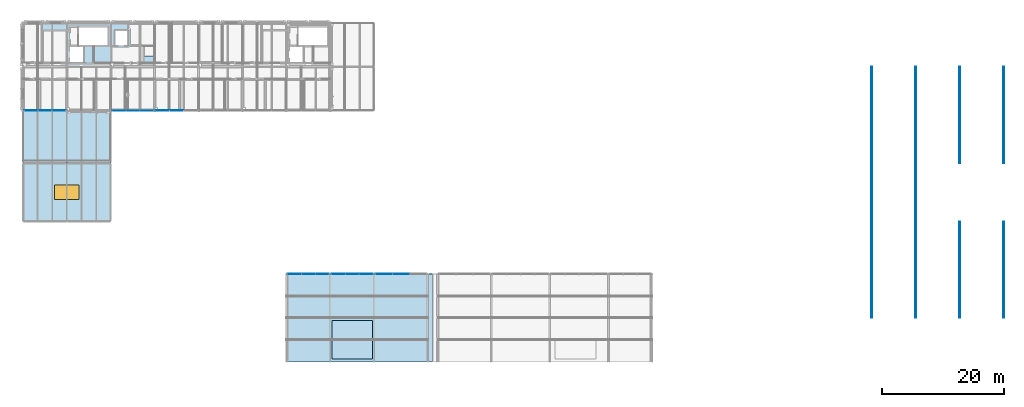
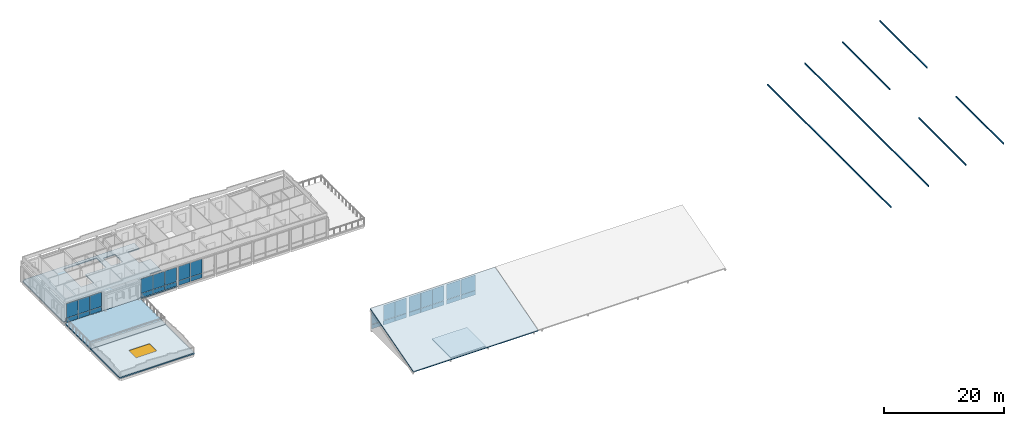
# One storey, part 21 of 32: 32 plates, 18 members, 5 slabs, 1 window, 1 opening, 6 elements without a shape of their own.
"""IFC4 building model written with IfcOpenShell, lengths in metres."""

from ifc_helpers import new_model, si_unit, direction, frame, origin, origin_2d, place, context, subcontext, project, spatial, polyline, rectangle, outline, extrude, material, layer, layer_set, material_profile, profile_set, type_object, element, fill, aggregate, save


model = new_model("IFC4")

# Units and contexts
model_context = context("Model", 3, precision=1e-05, world=origin(), true_north=direction((0.0, 1.0)))
body_context = subcontext(model_context, "Body", "Model", "MODEL_VIEW")
ifc_project = project(units=[si_unit("LENGTHUNIT", "METRE"), si_unit("AREAUNIT", "SQUARE_METRE"), si_unit("VOLUMEUNIT", "CUBIC_METRE"), si_unit("PLANEANGLEUNIT", "RADIAN"), si_unit("MASSUNIT", "GRAM", prefix="KILO")], contexts=[model_context])

# Site, building, storey
site_placement = place(None, origin())
site = spatial("IfcSite", under=ifc_project, at=site_placement, CompositionType="ELEMENT")
building_placement = place(site_placement, origin())
building = spatial("IfcBuilding", under=site, at=building_placement, Name="Hawrajan Terrace Health Centre", CompositionType="ELEMENT")
storey_placement = place(building_placement, frame((0.0, 0.0, 17.39990234375)))
storey = spatial("IfcBuildingStorey", under=building, at=storey_placement, Name="L04", CompositionType="ELEMENT", Elevation=17.39990234375)

# Members
ifc_material_1 = material(Name="Glulam GL28h", Category="wood")
ifc_material_profile = material_profile(ifc_material_1, rectangle(XDim=0.159912109375, YDim=0.280029296875, at=origin_2d()), Name="GL PUR 160x280")
ifc_profile_set = profile_set([ifc_material_profile], Name="Glulam GL28h")
member_type = type_object("IfcMemberType", Name="RoofPurlin_160x280", PredefinedType="PURLIN", material=ifc_profile_set)
member_1_placement = place(storey_placement, frame((143.800048828125, 11.39990234375, -4.579833984375), z_axis=(0.0, 1.0, 0.0), x_axis=(-1.0, 0.0, 0.0)))
element("IfcMember", 1, at=member_1_placement, inside=storey, type_object=member_type, Name="Pavilion tie purlin X19-2", PredefinedType="PURLIN", context=body_context, shape_type="SweptSolid", body=[
    extrude(rectangle(XDim=0.159912109375, YDim=0.280029296875, at=origin_2d()), origin(), (0.0, 0.0, 1.0), 7.2001953125),
])
member_2_placement = place(storey_placement, frame((143.800048828125, 18.60009765625, -4.579833984375), z_axis=(0.0, 1.0, 0.0), x_axis=(-1.0, 0.0, 0.0)))
element("IfcMember", 2, at=member_2_placement, inside=storey, type_object=member_type, Name="Pavilion tie purlin X19-3", PredefinedType="PURLIN", context=body_context, shape_type="SweptSolid", body=[
    extrude(rectangle(XDim=0.159912109375, YDim=0.280029296875, at=origin_2d()), origin(), (0.0, 0.0, 1.0), 8.599853515625),
])
member_3_placement = place(storey_placement, frame((143.800048828125, 27.199951171875, -4.579833984375), z_axis=(0.0, 1.0, 0.0), x_axis=(-1.0, 0.0, 0.0)))
element("IfcMember", 3, at=member_3_placement, inside=storey, type_object=member_type, Name="Pavilion tie purlin X19-4", PredefinedType="PURLIN", context=body_context, shape_type="SweptSolid", body=[
    extrude(rectangle(XDim=0.159912109375, YDim=0.280029296875, at=origin_2d()), origin(), (0.0, 0.0, 1.0), 9.60009765625),
])
member_4_placement = place(storey_placement, frame((143.800048828125, 36.800048828125, -4.579833984375), z_axis=(0.0, 1.0, 0.0), x_axis=(-1.0, 0.0, 0.0)))
element("IfcMember", 4, at=member_4_placement, inside=storey, type_object=member_type, Name="Pavilion tie purlin X19-5", PredefinedType="PURLIN", context=body_context, shape_type="SweptSolid", body=[
    extrude(rectangle(XDim=0.159912109375, YDim=0.280029296875, at=origin_2d()), origin(), (0.0, 0.0, 1.0), 8.599853515625),
])
for number, where, z_axis, x_axis, name in (
    (5, (143.800048828125, 45.39990234375, -4.579833984375), (0.0, 1.0, 0.0), (-1.0, 0.0, 0.0), "Pavilion tie purlin X19-6"),
    (6, (151.0, 11.39990234375, -2.78466796875), (0.0, 1.0, 0.0), (-1.0, 0.0, 0.0), "Pavilion tie purlin X20-2"),
):
    element("IfcMember", number, at=place(storey_placement, frame(where, z_axis=z_axis, x_axis=x_axis)), inside=storey, type_object=member_type, Name=name, PredefinedType="PURLIN", context=body_context, shape_type="SweptSolid", body=[
        extrude(rectangle(XDim=0.159912109375, YDim=0.280029296875, at=origin_2d()), origin(), (0.0, 0.0, 1.0), 7.2001953125),
    ])
member_5_placement = place(storey_placement, frame((151.0, 18.60009765625, -2.78466796875), z_axis=(0.0, 1.0, 0.0), x_axis=(-1.0, 0.0, 0.0)))
element("IfcMember", 7, at=member_5_placement, inside=storey, type_object=member_type, Name="Pavilion tie purlin X20-3", PredefinedType="PURLIN", context=body_context, shape_type="SweptSolid", body=[
    extrude(rectangle(XDim=0.159912109375, YDim=0.280029296875, at=origin_2d()), origin(), (0.0, 0.0, 1.0), 8.599853515625),
])
member_6_placement = place(storey_placement, frame((151.0, 27.199951171875, -2.78466796875), z_axis=(0.0, 1.0, 0.0), x_axis=(-1.0, 0.0, 0.0)))
element("IfcMember", 8, at=member_6_placement, inside=storey, type_object=member_type, Name="Pavilion tie purlin X20-4", PredefinedType="PURLIN", context=body_context, shape_type="SweptSolid", body=[
    extrude(rectangle(XDim=0.159912109375, YDim=0.280029296875, at=origin_2d()), origin(), (0.0, 0.0, 1.0), 9.60009765625),
])
member_7_placement = place(storey_placement, frame((151.0, 36.800048828125, -2.78466796875), z_axis=(0.0, 1.0, 0.0), x_axis=(-1.0, 0.0, 0.0)))
element("IfcMember", 9, at=member_7_placement, inside=storey, type_object=member_type, Name="Pavilion tie purlin X20-5", PredefinedType="PURLIN", context=body_context, shape_type="SweptSolid", body=[
    extrude(rectangle(XDim=0.159912109375, YDim=0.280029296875, at=origin_2d()), origin(), (0.0, 0.0, 1.0), 8.599853515625),
])
for number, where, z_axis, x_axis, name in (
    (10, (151.0, 45.39990234375, -2.78466796875), (0.0, 1.0, 0.0), (-1.0, 0.0, 0.0), "Pavilion tie purlin X20-6"),
    (11, (158.199951171875, 11.39990234375, -0.989501953125), (0.0, 1.0, 0.0), (-1.0, 0.0, 0.0), "Pavilion tie purlin X21-2"),
):
    element("IfcMember", number, at=place(storey_placement, frame(where, z_axis=z_axis, x_axis=x_axis)), inside=storey, type_object=member_type, Name=name, PredefinedType="PURLIN", context=body_context, shape_type="SweptSolid", body=[
        extrude(rectangle(XDim=0.159912109375, YDim=0.280029296875, at=origin_2d()), origin(), (0.0, 0.0, 1.0), 7.2001953125),
    ])
for number, where, z_axis, x_axis, name in (
    (12, (158.199951171875, 18.60009765625, -0.989501953125), (0.0, 1.0, 0.0), (-1.0, 0.0, 0.0), "Pavilion tie purlin X21-3"),
    (13, (158.199951171875, 36.800048828125, -0.989501953125), (0.0, 1.0, 0.0), (-1.0, 0.0, 0.0), "Pavilion tie purlin X21-5"),
):
    element("IfcMember", number, at=place(storey_placement, frame(where, z_axis=z_axis, x_axis=x_axis)), inside=storey, type_object=member_type, Name=name, PredefinedType="PURLIN", context=body_context, shape_type="SweptSolid", body=[
        extrude(rectangle(XDim=0.159912109375, YDim=0.280029296875, at=origin_2d()), origin(), (0.0, 0.0, 1.0), 8.599853515625),
    ])
for number, where, z_axis, x_axis, name in (
    (14, (158.199951171875, 45.39990234375, -0.989501953125), (0.0, 1.0, 0.0), (-1.0, 0.0, 0.0), "Pavilion tie purlin X21-6"),
    (15, (165.39990234375, 11.39990234375, 0.8056640625), (0.0, 1.0, 0.0), (-1.0, 0.0, 0.0), "Pavilion tie purlin X22-2"),
):
    element("IfcMember", number, at=place(storey_placement, frame(where, z_axis=z_axis, x_axis=x_axis)), inside=storey, type_object=member_type, Name=name, PredefinedType="PURLIN", context=body_context, shape_type="SweptSolid", body=[
        extrude(rectangle(XDim=0.159912109375, YDim=0.280029296875, at=origin_2d()), origin(), (0.0, 0.0, 1.0), 7.2001953125),
    ])
for number, where, z_axis, x_axis, name in (
    (16, (165.39990234375, 18.60009765625, 0.8056640625), (0.0, 1.0, 0.0), (-1.0, 0.0, 0.0), "Pavilion tie purlin X22-3"),
    (17, (165.39990234375, 36.800048828125, 0.8056640625), (0.0, 1.0, 0.0), (-1.0, 0.0, 0.0), "Pavilion tie purlin X22-5"),
):
    element("IfcMember", number, at=place(storey_placement, frame(where, z_axis=z_axis, x_axis=x_axis)), inside=storey, type_object=member_type, Name=name, PredefinedType="PURLIN", context=body_context, shape_type="SweptSolid", body=[
        extrude(rectangle(XDim=0.159912109375, YDim=0.280029296875, at=origin_2d()), origin(), (0.0, 0.0, 1.0), 8.599853515625),
    ])
member_8_placement = place(storey_placement, frame((165.39990234375, 45.39990234375, 0.8056640625), z_axis=(0.0, 1.0, 0.0), x_axis=(-1.0, 0.0, 0.0)))
element("IfcMember", 18, at=member_8_placement, inside=storey, type_object=member_type, Name="Pavilion tie purlin X22-6", PredefinedType="PURLIN", context=body_context, shape_type="SweptSolid", body=[
    extrude(rectangle(XDim=0.159912109375, YDim=0.280029296875, at=origin_2d()), origin(), (0.0, 0.0, 1.0), 7.2001953125),
])

# Curtain wall, plates
ifc_material_2 = material(Name="Anodized bronze aluminium and low-E solar glazing", Category="aluminium")
curtain_wall_type_1 = type_object("IfcCurtainWallType", Name="CW_Court_SeriesB2", PredefinedType="USERDEFINED", material=ifc_material_2)
curtain_wall_1_placement = place(storey_placement, origin())
curtain_wall_1 = element("IfcCurtainWall", 19, at=curtain_wall_1_placement, inside=storey, type_object=curtain_wall_type_1, Name="Curtain wall CW-L04-173", ObjectType="UNITISED CURTAIN WALL", PredefinedType="USERDEFINED")
ifc_material_3 = material(Name="Diffused north-light insulated glazing", Category="glass")
ifc_layer_1 = layer(ifc_material_3, 0.031982421875)
ifc_layer_set_1 = layer_set([ifc_layer_1], Name="Diffused north-light insulated glazing")
plate_type_1 = type_object("IfcPlateType", Name="ClerestoryGlassPanel_32", PredefinedType="CURTAIN_PANEL", material=ifc_layer_set_1)
plate_1_placement = place(storey_placement, frame((5.93505859375, 45.39990234375, 0.981689453125), z_axis=(0.0, 0.0, 1.0), x_axis=(1.0, 0.0, 0.0)))
plate_1 = element("IfcPlate", 20, at=plate_1_placement, type_object=plate_type_1, Name="Curtain panel CW-L04-173-P1-2", PredefinedType="CURTAIN_PANEL", context=body_context, shape_type="SweptSolid", body=[
    extrude(rectangle(XDim=2.2119140625, YDim=0.031982421875, at=origin_2d()), origin(), (0.0, 0.0, 1.0), 2.8994140625),
])
plate_2_placement = place(storey_placement, frame((8.2099609375, 45.39990234375, 0.981689453125), z_axis=(0.0, 0.0, 1.0), x_axis=(1.0, 0.0, 0.0)))
plate_2 = element("IfcPlate", 21, at=plate_2_placement, type_object=plate_type_1, Name="Curtain panel CW-L04-173-P2-2", PredefinedType="CURTAIN_PANEL", context=body_context, shape_type="SweptSolid", body=[
    extrude(rectangle(XDim=2.2119140625, YDim=0.031982421875, at=origin_2d()), origin(), (0.0, 0.0, 1.0), 2.8994140625),
])
plate_3_placement = place(storey_placement, frame((10.485107421875, 45.39990234375, 0.981689453125), z_axis=(0.0, 0.0, 1.0), x_axis=(1.0, 0.0, 0.0)))
plate_3 = element("IfcPlate", 22, at=plate_3_placement, type_object=plate_type_1, Name="Curtain panel CW-L04-173-P3-2", PredefinedType="CURTAIN_PANEL", context=body_context, shape_type="SweptSolid", body=[
    extrude(rectangle(XDim=2.2119140625, YDim=0.031982421875, at=origin_2d()), origin(), (0.0, 0.0, 1.0), 2.8994140625),
])

curtain_wall_type_2 = type_object("IfcCurtainWallType", Name="CW_Clerestory_SeriesG1", PredefinedType="USERDEFINED", material=ifc_material_2)
curtain_wall_2_placement = place(storey_placement, origin())
curtain_wall_2 = element("IfcCurtainWall", 23, at=curtain_wall_2_placement, inside=storey, type_object=curtain_wall_type_2, Name="Curtain wall CW-L04-CLER-179", ObjectType="UNITISED CURTAIN WALL", PredefinedType="USERDEFINED")
plate_4_placement = place(storey_placement, frame((49.13818359375, 18.60009765625, 0.781494140625), z_axis=(0.0, 0.0, 1.0), x_axis=(1.0, 0.0, 0.0)))
plate_4 = element("IfcPlate", 24, at=plate_4_placement, type_object=plate_type_1, Name="Curtain panel CW-L04-CLER-179-P1-2", PredefinedType="CURTAIN_PANEL", context=body_context, shape_type="SweptSolid", body=[
    extrude(rectangle(XDim=2.19873046875, YDim=0.031982421875, at=origin_2d()), origin(), (0.0, 0.0, 1.0), 3.07861328125),
])
plate_5_placement = place(storey_placement, frame((51.39990234375, 18.60009765625, 0.781494140625), z_axis=(0.0, 0.0, 1.0), x_axis=(1.0, 0.0, 0.0)))
plate_5 = element("IfcPlate", 25, at=plate_5_placement, type_object=plate_type_1, Name="Curtain panel CW-L04-CLER-179-P2-2", PredefinedType="CURTAIN_PANEL", context=body_context, shape_type="SweptSolid", body=[
    extrude(rectangle(XDim=2.19873046875, YDim=0.031982421875, at=origin_2d()), origin(), (0.0, 0.0, 1.0), 3.07861328125),
])
plate_6_placement = place(storey_placement, frame((53.66162109375, 18.60009765625, 0.781494140625), z_axis=(0.0, 0.0, 1.0), x_axis=(1.0, 0.0, 0.0)))
plate_6 = element("IfcPlate", 26, at=plate_6_placement, type_object=plate_type_1, Name="Curtain panel CW-L04-CLER-179-P3-2", PredefinedType="CURTAIN_PANEL", context=body_context, shape_type="SweptSolid", body=[
    extrude(rectangle(XDim=2.19873046875, YDim=0.031982421875, at=origin_2d()), origin(), (0.0, 0.0, 1.0), 3.07861328125),
])

# Slabs
ifc_material_4 = material(Name="Cross-laminated timber CLT C24", Category="wood")
ifc_layer_2 = layer(ifc_material_4, 0.18994140625)
ifc_layer_set_2 = layer_set([ifc_layer_2], Name="Cross-laminated timber CLT C24")
slab_type_1 = type_object("IfcSlabType", Name="FloorSlab_CLT190", PredefinedType="FLOOR", material=ifc_layer_set_2)
slab_1_placement = place(storey_placement, frame((0.0, 0.0, -0.18994140625)))
element("IfcSlab", 27, at=slab_1_placement, inside=storey, type_object=slab_type_1, Name="Structural slab SL-L04-W-V2-Z0-1", PredefinedType="FLOOR", context=body_context, shape_type="SweptSolid", body=[
    extrude(outline(polyline([(4.60009765625, 59.52001953125), (4.8798828125, 59.52001953125), (4.8798828125, 59.800048828125), (11.800048828125, 59.800048828125), (19.0, 59.800048828125), (26.199951171875, 59.800048828125), (26.199951171875, 59.52001953125), (26.199951171875, 58.0), (24.0, 58.0), (24.0, 54.39990234375), (26.199951171875, 54.39990234375), (26.199951171875, 52.60009765625), (26.199951171875, 50.800048828125), (24.0, 50.800048828125), (24.0, 47.199951171875), (26.199951171875, 47.199951171875), (26.199951171875, 45.39990234375), (19.280029296875, 45.39990234375), (19.280029296875, 45.679931640625), (19.0, 45.679931640625), (19.0, 45.39990234375), (11.800048828125, 45.39990234375), (5.10009765625, 45.39990234375), (5.10009765625, 45.89990234375), (4.60009765625, 45.89990234375), (4.60009765625, 52.60009765625), (4.60009765625, 59.52001953125)]), holes=[polyline([(12.199951171875, 59.199951171875), (12.199951171875, 56.0), (12.199951171875, 53.199951171875), (14.60009765625, 53.199951171875), (14.60009765625, 56.0), (18.60009765625, 56.0), (18.60009765625, 59.199951171875), (12.199951171875, 59.199951171875)]), polyline([(19.60009765625, 56.0), (21.800048828125, 56.0), (21.800048828125, 58.60009765625), (19.60009765625, 58.60009765625), (19.60009765625, 56.0)])]), origin(), (0.0, 0.0, 1.0), 0.18994140625),
])
ifc_layer_3 = layer(ifc_material_4, 0.199951171875)
ifc_layer_set_3 = layer_set([ifc_layer_3], Name="Cross-laminated timber CLT C24")
slab_type_2 = type_object("IfcSlabType", Name="RoofSlab_Shed200", PredefinedType="ROOF", material=ifc_layer_set_3)
slab_2_placement = place(storey_placement, frame((47.800048828125, 4.199951171875, 0.0), z_axis=(0.0, -0.275635803404, 0.961262141084), x_axis=(1.0, 0.0, 0.0)))
element("IfcSlab", 28, at=slab_2_placement, inside=storey, type_object=slab_type_2, Name="North-light clerestory shed roof W", PredefinedType="ROOF", context=body_context, shape_type="SweptSolid", body=[
    extrude(outline(polyline([(0.0, 0.0), (23.994873046875, 0.0), (23.994873046875, 14.980457326792674), (0.0, 14.980457326792674), (0.0, 0.0)])), origin(), (0.0, 0.0, -1.0), 0.199951171875),
])
ifc_layer_4 = layer(ifc_material_4, 0.25)
ifc_layer_set_4 = layer_set([ifc_layer_4], Name="Cross-laminated timber CLT C24")
slab_type_3 = type_object("IfcSlabType", Name="RoofSlab_Ziggurat250", PredefinedType="ROOF", material=ifc_layer_set_4)
slab_3_placement = place(storey_placement, frame((0.0, 0.0, -0.25)))
element("IfcSlab", 29, at=slab_3_placement, inside=storey, type_object=slab_type_3, Name="Core C4 and Lift LC-05 shaft cap slab", PredefinedType="ROOF", context=body_context, shape_type="SweptSolid", body=[
    extrude(outline(polyline([(55.25, 4.64990234375), (61.949951171875, 4.64990234375), (61.949951171875, 10.949951171875), (55.25, 10.949951171875), (55.25, 4.64990234375)])), origin(), (0.0, 0.0, 1.0), 0.25),
])

# Slab, opening, window
slab_4_placement = place(storey_placement, frame((0.0, 0.0, -0.25)))
slab_4 = element("IfcSlab", 30, at=slab_4_placement, inside=storey, type_object=slab_type_3, Name="Lower ziggurat cool roof slab L04", PredefinedType="ROOF", context=body_context, shape_type="SweptSolid", body=[
    extrude(outline(polyline([(4.60009765625, 27.199951171875), (19.0, 27.199951171875), (19.0, 36.800048828125), (4.60009765625, 36.800048828125), (4.60009765625, 27.199951171875)]), holes=[polyline([(9.800048828125, 30.800048828125), (13.800048828125, 30.800048828125), (13.800048828125, 33.199951171875), (9.800048828125, 33.199951171875), (9.800048828125, 30.800048828125)])]), origin(), (0.0, 0.0, 1.0), 0.25),
])
opening_placement = place(slab_4_placement, frame((11.800048828125, 32.0, -0.010009765625)))
opening = element("IfcOpeningElement", 31, at=opening_placement, cuts=slab_4, Name="Opening SK-L04-01", PredefinedType="OPENING", context=body_context, shape_type="SweptSolid", body=[
    extrude(rectangle(XDim=4.0, YDim=2.39990234375, at=origin_2d()), origin(), (0.0, 0.0, 1.0), 0.27001953125),
])
ifc_material_5 = material(Name="Thermally broken bronze skylight with laminated solar glass", Category="glass")
window_type = type_object("IfcWindowType", Name="RoofSkylight_4000x2400", PartitioningType="SINGLE_PANEL", PredefinedType="SKYLIGHT", material=ifc_material_5)
window_placement = place(opening_placement, frame((0.0, 0.0, 0.2099609375)))
window = element("IfcWindow", 32, at=window_placement, inside=storey, type_object=window_type, Name="Ziggurat atrium skylight SK-L04-01", OverallHeight=2.39990234375, OverallWidth=4.0, PartitioningType="SINGLE_PANEL", PredefinedType="SKYLIGHT", context=body_context, shape_type="SweptSolid", body=[
    extrude(rectangle(XDim=4.0, YDim=2.39990234375, at=origin_2d()), origin(), (0.0, 0.0, 1.0), 0.050048828125),
])
fill(opening, window)

# Curtain wall, plates
curtain_wall_type_3 = type_object("IfcCurtainWallType", Name="CW_Court_SeriesB3", PredefinedType="USERDEFINED", material=ifc_material_2)
curtain_wall_3_placement = place(storey_placement, origin())
curtain_wall_3 = element("IfcCurtainWall", 33, at=curtain_wall_3_placement, inside=storey, type_object=curtain_wall_type_3, Name="Curtain wall CW-L04-174", ObjectType="UNITISED CURTAIN WALL", PredefinedType="USERDEFINED")
ifc_material_6 = material(Name="Insulated anodized bronze spandrel panel")
ifc_layer_5 = layer(ifc_material_6, 0.048095703125)
ifc_layer_set_5 = layer_set([ifc_layer_5], Name="Insulated anodized bronze spandrel panel")
plate_type_2 = type_object("IfcPlateType", Name="SpandrelPanel_Bronze48", PredefinedType="CURTAIN_PANEL", material=ifc_layer_set_5)
plate_7_placement = place(storey_placement, frame((20.331787109375, 45.39990234375, 0.05908203125), z_axis=(0.0, 0.0, 1.0), x_axis=(1.0, 0.0, 0.0)))
plate_7 = element("IfcPlate", 34, at=plate_7_placement, type_object=plate_type_2, Name="Curtain panel CW-L04-174-P1-1", PredefinedType="CURTAIN_PANEL", context=body_context, shape_type="SweptSolid", body=[
    extrude(rectangle(XDim=2.225341796875, YDim=0.048095703125, at=origin_2d()), origin(), (0.0, 0.0, 1.0), 0.864501953125),
])
plate_8_placement = place(storey_placement, frame((22.610107421875, 45.39990234375, 0.05908203125), z_axis=(0.0, 0.0, 1.0), x_axis=(1.0, 0.0, 0.0)))
plate_8 = element("IfcPlate", 35, at=plate_8_placement, type_object=plate_type_2, Name="Curtain panel CW-L04-174-P2-1", PredefinedType="CURTAIN_PANEL", context=body_context, shape_type="SweptSolid", body=[
    extrude(rectangle(XDim=2.225341796875, YDim=0.048095703125, at=origin_2d()), origin(), (0.0, 0.0, 1.0), 0.864501953125),
])
plate_9_placement = place(storey_placement, frame((24.88818359375, 45.39990234375, 0.05908203125), z_axis=(0.0, 0.0, 1.0), x_axis=(1.0, 0.0, 0.0)))
plate_9 = element("IfcPlate", 36, at=plate_9_placement, type_object=plate_type_2, Name="Curtain panel CW-L04-174-P3-1", PredefinedType="CURTAIN_PANEL", context=body_context, shape_type="SweptSolid", body=[
    extrude(rectangle(XDim=2.225341796875, YDim=0.048095703125, at=origin_2d()), origin(), (0.0, 0.0, 1.0), 0.864501953125),
])

curtain_wall_4_placement = place(storey_placement, origin())
curtain_wall_4 = element("IfcCurtainWall", 37, at=curtain_wall_4_placement, inside=storey, type_object=curtain_wall_type_2, Name="Curtain wall CW-L04-CLER-180", ObjectType="UNITISED CURTAIN WALL", PredefinedType="USERDEFINED")
plate_10_placement = place(storey_placement, frame((56.3349609375, 18.60009765625, -0.14111328125), z_axis=(0.0, 0.0, 1.0), x_axis=(1.0, 0.0, 0.0)))
plate_10 = element("IfcPlate", 38, at=plate_10_placement, type_object=plate_type_2, Name="Curtain panel CW-L04-CLER-180-P1-1", PredefinedType="CURTAIN_PANEL", context=body_context, shape_type="SweptSolid", body=[
    extrude(rectangle(XDim=2.2119140625, YDim=0.048095703125, at=origin_2d()), origin(), (0.0, 0.0, 1.0), 0.864501953125),
])
plate_11_placement = place(storey_placement, frame((58.60009765625, 18.60009765625, -0.14111328125), z_axis=(0.0, 0.0, 1.0), x_axis=(1.0, 0.0, 0.0)))
plate_11 = element("IfcPlate", 39, at=plate_11_placement, type_object=plate_type_2, Name="Curtain panel CW-L04-CLER-180-P2-1", PredefinedType="CURTAIN_PANEL", context=body_context, shape_type="SweptSolid", body=[
    extrude(rectangle(XDim=2.2119140625, YDim=0.048095703125, at=origin_2d()), origin(), (0.0, 0.0, 1.0), 0.864501953125),
])
plate_12_placement = place(storey_placement, frame((60.864990234375, 18.60009765625, -0.14111328125), z_axis=(0.0, 0.0, 1.0), x_axis=(1.0, 0.0, 0.0)))
plate_12 = element("IfcPlate", 40, at=plate_12_placement, type_object=plate_type_2, Name="Curtain panel CW-L04-CLER-180-P3-1", PredefinedType="CURTAIN_PANEL", context=body_context, shape_type="SweptSolid", body=[
    extrude(rectangle(XDim=2.2119140625, YDim=0.048095703125, at=origin_2d()), origin(), (0.0, 0.0, 1.0), 0.864501953125),
])

# Plate
ifc_material_7 = material(Name="Insulated reconstituted coral-stone spandrel", Category="masonry")
ifc_layer_6 = layer(ifc_material_7, 0.055908203125)
ifc_layer_set_6 = layer_set([ifc_layer_6], Name="Insulated reconstituted coral-stone spandrel")
plate_type_3 = type_object("IfcPlateType", Name="SpandrelPanel_Coral56", PredefinedType="CURTAIN_PANEL", material=ifc_layer_set_6)
plate_13_placement = place(storey_placement, frame((5.93505859375, 45.39990234375, 0.069091796875), z_axis=(0.0, 0.0, 1.0), x_axis=(1.0, 0.0, 0.0)))
plate_13 = element("IfcPlate", 41, at=plate_13_placement, type_object=plate_type_3, Name="Curtain panel CW-L04-173-P1-1", PredefinedType="CURTAIN_PANEL", context=body_context, shape_type="SweptSolid", body=[
    extrude(rectangle(XDim=2.2119140625, YDim=0.055908203125, at=origin_2d()), origin(), (0.0, 0.0, 1.0), 0.849609375),
])

plate_14_placement = place(storey_placement, frame((8.2099609375, 45.39990234375, 0.069091796875), z_axis=(0.0, 0.0, 1.0), x_axis=(1.0, 0.0, 0.0)))
plate_14 = element("IfcPlate", 42, at=plate_14_placement, type_object=plate_type_3, Name="Curtain panel CW-L04-173-P2-1", PredefinedType="CURTAIN_PANEL", context=body_context, shape_type="SweptSolid", body=[
    extrude(rectangle(XDim=2.2119140625, YDim=0.055908203125, at=origin_2d()), origin(), (0.0, 0.0, 1.0), 0.849609375),
])

plate_15_placement = place(storey_placement, frame((10.485107421875, 45.39990234375, 0.069091796875), z_axis=(0.0, 0.0, 1.0), x_axis=(1.0, 0.0, 0.0)))
plate_15 = element("IfcPlate", 43, at=plate_15_placement, type_object=plate_type_3, Name="Curtain panel CW-L04-173-P3-1", PredefinedType="CURTAIN_PANEL", context=body_context, shape_type="SweptSolid", body=[
    extrude(rectangle(XDim=2.2119140625, YDim=0.055908203125, at=origin_2d()), origin(), (0.0, 0.0, 1.0), 0.849609375),
])

aggregate(curtain_wall_1, [plate_13, plate_1, plate_14, plate_2, plate_15, plate_3])

# Curtain wall, plates
curtain_wall_type_4 = type_object("IfcCurtainWallType", Name="CW_CourtNS_SeriesC1", PredefinedType="USERDEFINED", material=ifc_material_2)
curtain_wall_5_placement = place(storey_placement, origin())
curtain_wall_5 = element("IfcCurtainWall", 44, at=curtain_wall_5_placement, inside=storey, type_object=curtain_wall_type_4, Name="Curtain wall CW-L04-175", ObjectType="UNITISED CURTAIN WALL", PredefinedType="USERDEFINED")
plate_16_placement = place(storey_placement, frame((27.51171875, 45.39990234375, 0.05908203125), z_axis=(0.0, 0.0, 1.0), x_axis=(1.0, 0.0, 0.0)))
plate_16 = element("IfcPlate", 45, at=plate_16_placement, type_object=plate_type_3, Name="Curtain panel CW-L04-175-P1-1", PredefinedType="CURTAIN_PANEL", context=body_context, shape_type="SweptSolid", body=[
    extrude(rectangle(XDim=2.225341796875, YDim=0.055908203125, at=origin_2d()), origin(), (0.0, 0.0, 1.0), 0.864501953125),
])
plate_17_placement = place(storey_placement, frame((29.7900390625, 45.39990234375, 0.05908203125), z_axis=(0.0, 0.0, 1.0), x_axis=(1.0, 0.0, 0.0)))
plate_17 = element("IfcPlate", 46, at=plate_17_placement, type_object=plate_type_3, Name="Curtain panel CW-L04-175-P2-1", PredefinedType="CURTAIN_PANEL", context=body_context, shape_type="SweptSolid", body=[
    extrude(rectangle(XDim=2.225341796875, YDim=0.055908203125, at=origin_2d()), origin(), (0.0, 0.0, 1.0), 0.864501953125),
])

# Plate
plate_18_placement = place(storey_placement, frame((49.13818359375, 18.60009765625, -0.130859375), z_axis=(0.0, 0.0, 1.0), x_axis=(1.0, 0.0, 0.0)))
plate_18 = element("IfcPlate", 47, at=plate_18_placement, type_object=plate_type_3, Name="Curtain panel CW-L04-CLER-179-P1-1", PredefinedType="CURTAIN_PANEL", context=body_context, shape_type="SweptSolid", body=[
    extrude(rectangle(XDim=2.19873046875, YDim=0.055908203125, at=origin_2d()), origin(), (0.0, 0.0, 1.0), 0.849609375),
])

plate_19_placement = place(storey_placement, frame((51.39990234375, 18.60009765625, -0.130859375), z_axis=(0.0, 0.0, 1.0), x_axis=(1.0, 0.0, 0.0)))
plate_19 = element("IfcPlate", 48, at=plate_19_placement, type_object=plate_type_3, Name="Curtain panel CW-L04-CLER-179-P2-1", PredefinedType="CURTAIN_PANEL", context=body_context, shape_type="SweptSolid", body=[
    extrude(rectangle(XDim=2.19873046875, YDim=0.055908203125, at=origin_2d()), origin(), (0.0, 0.0, 1.0), 0.849609375),
])

plate_20_placement = place(storey_placement, frame((53.66162109375, 18.60009765625, -0.130859375), z_axis=(0.0, 0.0, 1.0), x_axis=(1.0, 0.0, 0.0)))
plate_20 = element("IfcPlate", 49, at=plate_20_placement, type_object=plate_type_3, Name="Curtain panel CW-L04-CLER-179-P3-1", PredefinedType="CURTAIN_PANEL", context=body_context, shape_type="SweptSolid", body=[
    extrude(rectangle(XDim=2.19873046875, YDim=0.055908203125, at=origin_2d()), origin(), (0.0, 0.0, 1.0), 0.849609375),
])

aggregate(curtain_wall_2, [plate_18, plate_4, plate_19, plate_5, plate_20, plate_6])

# Curtain wall, plates
curtain_wall_type_5 = type_object("IfcCurtainWallType", Name="CW_Clerestory_SeriesG2", PredefinedType="USERDEFINED", material=ifc_material_2)
curtain_wall_6_placement = place(storey_placement, origin())
curtain_wall_6 = element("IfcCurtainWall", 50, at=curtain_wall_6_placement, inside=storey, type_object=curtain_wall_type_5, Name="Curtain wall CW-L04-CLER-181", ObjectType="UNITISED CURTAIN WALL", PredefinedType="USERDEFINED")
plate_21_placement = place(storey_placement, frame((63.8017578125, 18.60009765625, -0.14111328125), z_axis=(0.0, 0.0, 1.0), x_axis=(1.0, 0.0, 0.0)))
plate_21 = element("IfcPlate", 51, at=plate_21_placement, type_object=plate_type_3, Name="Curtain panel CW-L04-CLER-181-P1-1", PredefinedType="CURTAIN_PANEL", context=body_context, shape_type="SweptSolid", body=[
    extrude(rectangle(XDim=2.745361328125, YDim=0.055908203125, at=origin_2d()), origin(), (0.0, 0.0, 1.0), 0.864501953125),
])
plate_22_placement = place(storey_placement, frame((66.60009765625, 18.60009765625, -0.14111328125), z_axis=(0.0, 0.0, 1.0), x_axis=(1.0, 0.0, 0.0)))
plate_22 = element("IfcPlate", 52, at=plate_22_placement, type_object=plate_type_3, Name="Curtain panel CW-L04-CLER-181-P2-1", PredefinedType="CURTAIN_PANEL", context=body_context, shape_type="SweptSolid", body=[
    extrude(rectangle(XDim=2.745361328125, YDim=0.055908203125, at=origin_2d()), origin(), (0.0, 0.0, 1.0), 0.864501953125),
])

# Slab
ifc_layer_7 = layer(ifc_material_4, 0.219970703125)
ifc_layer_set_7 = layer_set([ifc_layer_7], Name="Cross-laminated timber CLT C24")
slab_type_4 = type_object("IfcSlabType", Name="TerraceDeck_CLT220", PredefinedType="FLOOR", material=ifc_layer_set_7)
slab_5_placement = place(storey_placement, frame((0.0, 0.0, -0.219970703125)))
element("IfcSlab", 53, at=slab_5_placement, inside=storey, type_object=slab_type_4, Name="External terrace deck TR-L04-TERR-L04-V2SW-W-1", PredefinedType="FLOOR", context=body_context, shape_type="SweptSolid", body=[
    extrude(outline(polyline([(4.60009765625, 45.39990234375), (5.10009765625, 45.39990234375), (11.800048828125, 45.39990234375), (19.0, 45.39990234375), (19.0, 36.800048828125), (11.800048828125, 36.800048828125), (4.60009765625, 36.800048828125), (4.60009765625, 45.39990234375)])), origin(), (0.0, 0.0, 1.0), 0.219970703125),
])

# Plate
ifc_material_8 = material(Name="Double-glazed solar control low-E glass", Category="glass")
ifc_layer_8 = layer(ifc_material_8, 0.028076171875)
ifc_layer_set_8 = layer_set([ifc_layer_8], Name="Double-glazed solar control low-E glass")
plate_type_4 = type_object("IfcPlateType", Name="VisionGlassPanel_28", PredefinedType="CURTAIN_PANEL", material=ifc_layer_set_8)
plate_23_placement = place(storey_placement, frame((20.331787109375, 45.39990234375, 0.9765625), z_axis=(0.0, 0.0, 1.0), x_axis=(1.0, 0.0, 0.0)))
plate_23 = element("IfcPlate", 54, at=plate_23_placement, type_object=plate_type_4, Name="Curtain panel CW-L04-174-P1-2", PredefinedType="CURTAIN_PANEL", context=body_context, shape_type="SweptSolid", body=[
    extrude(rectangle(XDim=2.225341796875, YDim=0.028076171875, at=origin_2d()), origin(), (0.0, 0.0, 1.0), 2.91455078125),
])

plate_24_placement = place(storey_placement, frame((22.610107421875, 45.39990234375, 0.9765625), z_axis=(0.0, 0.0, 1.0), x_axis=(1.0, 0.0, 0.0)))
plate_24 = element("IfcPlate", 55, at=plate_24_placement, type_object=plate_type_4, Name="Curtain panel CW-L04-174-P2-2", PredefinedType="CURTAIN_PANEL", context=body_context, shape_type="SweptSolid", body=[
    extrude(rectangle(XDim=2.225341796875, YDim=0.028076171875, at=origin_2d()), origin(), (0.0, 0.0, 1.0), 2.91455078125),
])

plate_25_placement = place(storey_placement, frame((24.88818359375, 45.39990234375, 0.9765625), z_axis=(0.0, 0.0, 1.0), x_axis=(1.0, 0.0, 0.0)))
plate_25 = element("IfcPlate", 56, at=plate_25_placement, type_object=plate_type_4, Name="Curtain panel CW-L04-174-P3-2", PredefinedType="CURTAIN_PANEL", context=body_context, shape_type="SweptSolid", body=[
    extrude(rectangle(XDim=2.225341796875, YDim=0.028076171875, at=origin_2d()), origin(), (0.0, 0.0, 1.0), 2.91455078125),
])

aggregate(curtain_wall_3, [plate_7, plate_23, plate_8, plate_24, plate_9, plate_25])

plate_26_placement = place(storey_placement, frame((56.3349609375, 18.60009765625, 0.77685546875), z_axis=(0.0, 0.0, 1.0), x_axis=(1.0, 0.0, 0.0)))
plate_26 = element("IfcPlate", 57, at=plate_26_placement, type_object=plate_type_4, Name="Curtain panel CW-L04-CLER-180-P1-2", PredefinedType="CURTAIN_PANEL", context=body_context, shape_type="SweptSolid", body=[
    extrude(rectangle(XDim=2.2119140625, YDim=0.028076171875, at=origin_2d()), origin(), (0.0, 0.0, 1.0), 3.093505859375),
])

plate_27_placement = place(storey_placement, frame((58.60009765625, 18.60009765625, 0.77685546875), z_axis=(0.0, 0.0, 1.0), x_axis=(1.0, 0.0, 0.0)))
plate_27 = element("IfcPlate", 58, at=plate_27_placement, type_object=plate_type_4, Name="Curtain panel CW-L04-CLER-180-P2-2", PredefinedType="CURTAIN_PANEL", context=body_context, shape_type="SweptSolid", body=[
    extrude(rectangle(XDim=2.2119140625, YDim=0.028076171875, at=origin_2d()), origin(), (0.0, 0.0, 1.0), 3.093505859375),
])

plate_28_placement = place(storey_placement, frame((60.864990234375, 18.60009765625, 0.77685546875), z_axis=(0.0, 0.0, 1.0), x_axis=(1.0, 0.0, 0.0)))
plate_28 = element("IfcPlate", 59, at=plate_28_placement, type_object=plate_type_4, Name="Curtain panel CW-L04-CLER-180-P3-2", PredefinedType="CURTAIN_PANEL", context=body_context, shape_type="SweptSolid", body=[
    extrude(rectangle(XDim=2.2119140625, YDim=0.028076171875, at=origin_2d()), origin(), (0.0, 0.0, 1.0), 3.093505859375),
])

aggregate(curtain_wall_4, [plate_10, plate_26, plate_11, plate_27, plate_12, plate_28])

ifc_material_9 = material(Name="Triple-glazed solar acoustic low-E glass", Category="glass")
ifc_layer_9 = layer(ifc_material_9, 0.035888671875)
ifc_layer_set_9 = layer_set([ifc_layer_9], Name="Triple-glazed solar acoustic low-E glass")
plate_type_5 = type_object("IfcPlateType", Name="VisionGlassPanel_36", PredefinedType="CURTAIN_PANEL", material=ifc_layer_set_9)
plate_29_placement = place(storey_placement, frame((27.51171875, 45.39990234375, 0.9765625), z_axis=(0.0, 0.0, 1.0), x_axis=(1.0, 0.0, 0.0)))
plate_29 = element("IfcPlate", 60, at=plate_29_placement, type_object=plate_type_5, Name="Curtain panel CW-L04-175-P1-2", PredefinedType="CURTAIN_PANEL", context=body_context, shape_type="SweptSolid", body=[
    extrude(rectangle(XDim=2.225341796875, YDim=0.035888671875, at=origin_2d()), origin(), (0.0, 0.0, 1.0), 2.91455078125),
])

plate_30_placement = place(storey_placement, frame((29.7900390625, 45.39990234375, 0.9765625), z_axis=(0.0, 0.0, 1.0), x_axis=(1.0, 0.0, 0.0)))
plate_30 = element("IfcPlate", 61, at=plate_30_placement, type_object=plate_type_5, Name="Curtain panel CW-L04-175-P2-2", PredefinedType="CURTAIN_PANEL", context=body_context, shape_type="SweptSolid", body=[
    extrude(rectangle(XDim=2.225341796875, YDim=0.035888671875, at=origin_2d()), origin(), (0.0, 0.0, 1.0), 2.91455078125),
])

aggregate(curtain_wall_5, [plate_16, plate_29, plate_17, plate_30])

plate_31_placement = place(storey_placement, frame((63.8017578125, 18.60009765625, 0.77685546875), z_axis=(0.0, 0.0, 1.0), x_axis=(1.0, 0.0, 0.0)))
plate_31 = element("IfcPlate", 62, at=plate_31_placement, type_object=plate_type_5, Name="Curtain panel CW-L04-CLER-181-P1-2", PredefinedType="CURTAIN_PANEL", context=body_context, shape_type="SweptSolid", body=[
    extrude(rectangle(XDim=2.745361328125, YDim=0.035888671875, at=origin_2d()), origin(), (0.0, 0.0, 1.0), 3.093505859375),
])

plate_32_placement = place(storey_placement, frame((66.60009765625, 18.60009765625, 0.77685546875), z_axis=(0.0, 0.0, 1.0), x_axis=(1.0, 0.0, 0.0)))
plate_32 = element("IfcPlate", 63, at=plate_32_placement, type_object=plate_type_5, Name="Curtain panel CW-L04-CLER-181-P2-2", PredefinedType="CURTAIN_PANEL", context=body_context, shape_type="SweptSolid", body=[
    extrude(rectangle(XDim=2.745361328125, YDim=0.035888671875, at=origin_2d()), origin(), (0.0, 0.0, 1.0), 3.093505859375),
])

aggregate(curtain_wall_6, [plate_21, plate_31, plate_22, plate_32])

save(model, "model.ifc")
